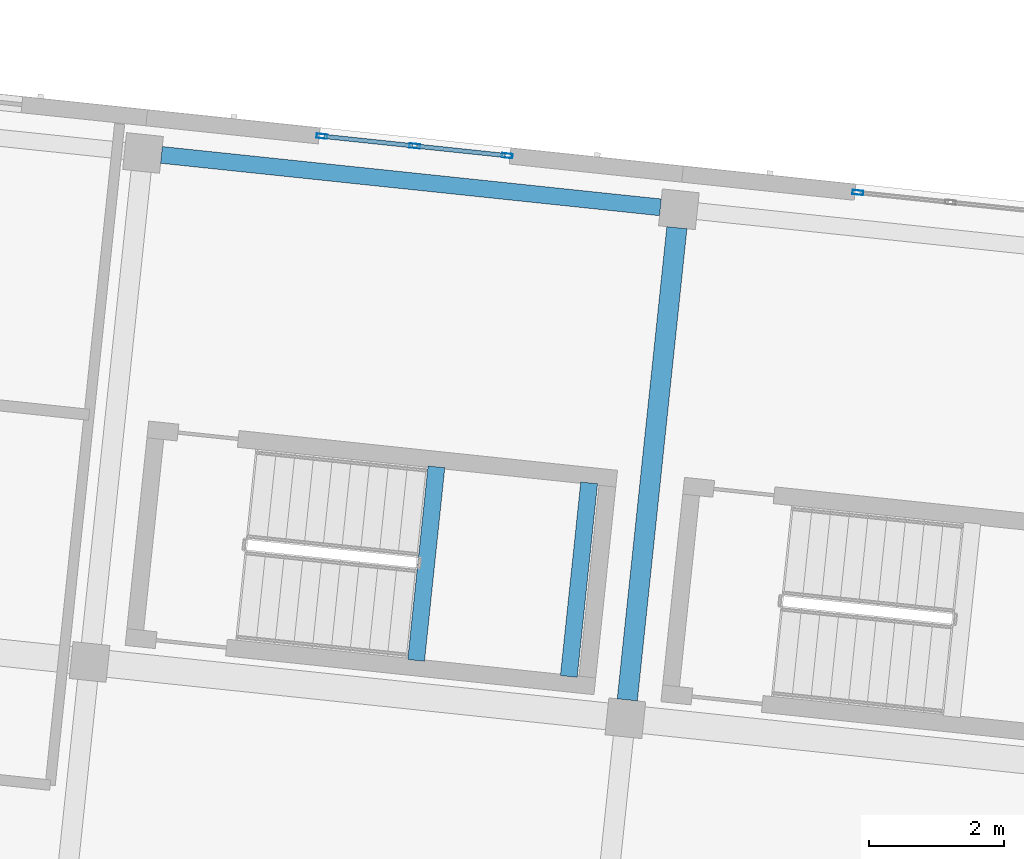
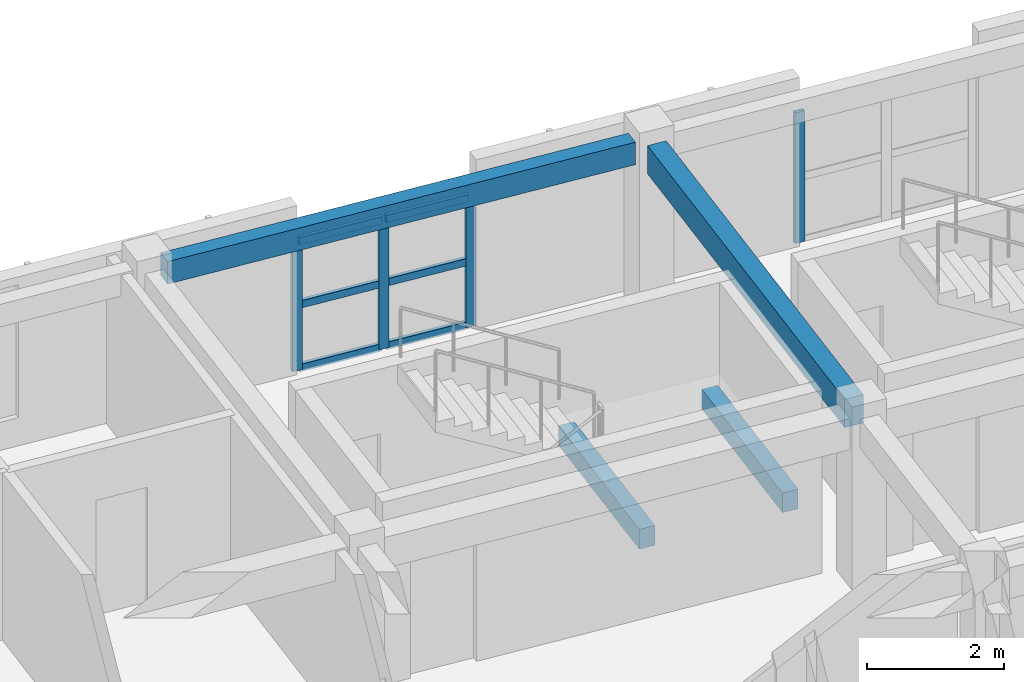
# One storey, part 13 of 66: 10 members, 4 beams, 2 elements without a shape of their own.
"""IFC4 building model written with IfcOpenShell, lengths in metres."""

from ifc_helpers import new_model, si_unit, direction, frame, origin, origin_2d, place, context, subcontext, project, spatial, rectangle, hollow_rectangle, extrude, material, material_profile, profile_set, type_object, element, aggregate, save


model = new_model("IFC4")

# Units and contexts
model_context = context("Model", 3, precision=1e-05, world=origin(), true_north=direction((0.0, 1.0)))
body_context = subcontext(model_context, "Body", "Model", "MODEL_VIEW")
ifc_project = project(units=[si_unit("LENGTHUNIT", "METRE"), si_unit("AREAUNIT", "SQUARE_METRE"), si_unit("VOLUMEUNIT", "CUBIC_METRE"), si_unit("PLANEANGLEUNIT", "RADIAN"), si_unit("MASSUNIT", "GRAM", prefix="KILO")], contexts=[model_context])

# Site, building, storey
site_placement = place(None, origin())
site = spatial("IfcSite", under=ifc_project, at=site_placement, CompositionType="ELEMENT")
building_placement = place(site_placement, origin())
building = spatial("IfcBuilding", under=site, at=building_placement, Name="Kestramere Prow Commons", CompositionType="ELEMENT")
storey_placement = place(building_placement, frame((0.0, 0.0, 14.89990234375)))
storey = spatial("IfcBuildingStorey", under=building, at=storey_placement, Name="L04", CompositionType="ELEMENT", Elevation=14.89990234375)

# Beams
ifc_material_1 = material(Name="Concrete C40/50", Category="concrete")
ifc_material_profile_1 = material_profile(ifc_material_1, rectangle(XDim=0.25, YDim=0.35009765625, at=origin_2d()), Name="PC-BM 250x350")
ifc_profile_set_1 = profile_set([ifc_material_profile_1], Name="Concrete C40/50")
beam_type_1 = type_object("IfcBeamType", Name="BM-ST-TRIM", PredefinedType="BEAM", material=ifc_profile_set_1)
for number, where, z_axis, x_axis, name in (
    (1, (139.971923828125, 104.248779296875, 1.25), (0.104495697268, 0.994525338668, 0.0), (-0.994525338668, 0.104495697268, 0.0), "ST-B1 L04 Landing Trimmer Beam 1A"),
    (2, (142.2392578125, 104.010498046875, 1.25), (0.104579248847, 0.994516556278, 0.0), (-0.994516556278, 0.104579248847, 0.0), "ST-B1 L04 Landing Trimmer Beam 1B"),
):
    element("IfcBeam", number, at=place(storey_placement, frame(where, z_axis=z_axis, x_axis=x_axis)), inside=storey, type_object=beam_type_1, Name=name, PredefinedType="BEAM", context=body_context, shape_type="SweptSolid", body=[
        extrude(rectangle(XDim=0.25, YDim=0.35009765625, at=origin_2d()), origin(), (0.0, 0.0, 1.0), 2.89013671875),
    ])
ifc_material_2 = material(Name="Precast concrete C40/50", Category="concrete")
ifc_material_profile_2 = material_profile(ifc_material_2, rectangle(XDim=0.300048828125, YDim=0.5, at=origin_2d()), Name="PC-BM 300x500")
ifc_profile_set_2 = profile_set([ifc_material_profile_2], Name="Precast concrete C40/50")
beam_type_2 = type_object("IfcBeamType", Name="BM-TIE-01 PC-BM 300x500", PredefinedType="BEAM", material=ifc_profile_set_2)
beam_1_placement = place(storey_placement, frame((143.107666015625, 103.662841796875, 2.75), z_axis=(0.104545981508, 0.994520053971, 0.0), x_axis=(-0.994520053971, 0.104545981508, 0.0)))
element("IfcBeam", 3, at=beam_1_placement, inside=storey, type_object=beam_type_2, Name="Block B L04 Transverse Beam 5-3", PredefinedType="BEAM", context=body_context, shape_type="SweptSolid", body=[
    extrude(rectangle(XDim=0.300048828125, YDim=0.5, at=origin_2d()), origin(), (0.0, 0.0, 1.0), 7.050048828125),
])

# Curtain wall, members
ifc_material_3 = material(Name="Anodised Aluminium and Low-E Glass", Category="aluminium")
curtain_wall_type = type_object("IfcCurtainWallType", Name="CW-03 Glazed Curtain Wall 2830x2320", PredefinedType="USERDEFINED", material=ifc_material_3)
curtain_wall_1_placement = place(storey_placement, origin())
curtain_wall_1 = element("IfcCurtainWall", 4, at=curtain_wall_1_placement, inside=storey, type_object=curtain_wall_type, Name="Block B L04 Stairwell Vertical Glazing 4", ObjectType="GLAZED CURTAIN WALL", PredefinedType="USERDEFINED")
ifc_material_4 = material(Name="Anodised Aluminium 6063-T6", Category="aluminium")
ifc_material_profile_3 = material_profile(ifc_material_4, hollow_rectangle(XDim=0.06494140625, YDim=0.159912109375, WallThickness=0.00390625, at=origin_2d()), Name="ALU-MUL 65x160")
ifc_profile_set_3 = profile_set([ifc_material_profile_3], Name="Anodised Aluminium 6063-T6")
member_type_1 = type_object("IfcMemberType", Name="CW-MUL-65x160", PredefinedType="MULLION", material=ifc_profile_set_3)
member_1_placement = place(storey_placement, frame((138.575439453125, 112.032470703125, 0.0), z_axis=(0.0, 0.0, 1.0), x_axis=(0.104528618845, 0.994521879016, 0.0)))
member_1 = element("IfcMember", 5, at=member_1_placement, type_object=member_type_1, Name="CW-03 mullion 1", PredefinedType="MULLION", context=body_context, shape_type="SweptSolid", body=[
    extrude(hollow_rectangle(XDim=0.06494140625, YDim=0.159912109375, WallThickness=0.00390625, at=origin_2d()), origin(), (0.0, 0.0, 1.0), 2.320068359375),
])
member_2_placement = place(storey_placement, frame((139.9501953125, 111.887939453125, 0.0), z_axis=(0.0, 0.0, 1.0), x_axis=(0.104528618845, 0.994521879016, 0.0)))
member_2 = element("IfcMember", 6, at=member_2_placement, type_object=member_type_1, Name="CW-03 mullion 2", PredefinedType="MULLION", context=body_context, shape_type="SweptSolid", body=[
    extrude(hollow_rectangle(XDim=0.06494140625, YDim=0.159912109375, WallThickness=0.00390625, at=origin_2d()), origin(), (0.0, 0.0, 1.0), 2.320068359375),
])
member_3_placement = place(storey_placement, frame((141.3251953125, 111.743408203125, 0.0), z_axis=(0.0, 0.0, 1.0), x_axis=(0.104528618845, 0.994521879016, 0.0)))
member_3 = element("IfcMember", 7, at=member_3_placement, type_object=member_type_1, Name="CW-03 mullion 3", PredefinedType="MULLION", context=body_context, shape_type="SweptSolid", body=[
    extrude(hollow_rectangle(XDim=0.06494140625, YDim=0.159912109375, WallThickness=0.00390625, at=origin_2d()), origin(), (0.0, 0.0, 1.0), 2.320068359375),
])

# Curtain wall, member
curtain_wall_2_placement = place(storey_placement, origin())
curtain_wall_2 = element("IfcCurtainWall", 8, at=curtain_wall_2_placement, inside=storey, type_object=curtain_wall_type, Name="Block B L04 Stairwell Vertical Glazing 5", ObjectType="GLAZED CURTAIN WALL", PredefinedType="USERDEFINED")
member_4_placement = place(storey_placement, frame((146.531494140625, 111.1962890625, 0.0), z_axis=(0.0, 0.0, 1.0), x_axis=(0.104528269348, 0.99452191575, 0.0)))
member_4 = element("IfcMember", 9, at=member_4_placement, type_object=member_type_1, Name="CW-03 mullion 1", PredefinedType="MULLION", context=body_context, shape_type="SweptSolid", body=[
    extrude(hollow_rectangle(XDim=0.06494140625, YDim=0.159912109375, WallThickness=0.00390625, at=origin_2d()), origin(), (0.0, 0.0, 1.0), 2.320068359375),
])
aggregate(curtain_wall_2, [member_4])

# Member
ifc_material_profile_4 = material_profile(ifc_material_4, hollow_rectangle(XDim=0.06494140625, YDim=0.1298828125, WallThickness=0.00390625, at=origin_2d()), Name="ALU-TRN 65x130")
ifc_profile_set_4 = profile_set([ifc_material_profile_4], Name="Anodised Aluminium 6063-T6")
member_type_2 = type_object("IfcMemberType", Name="CW-TRN-65x130", PredefinedType="USERDEFINED", material=ifc_profile_set_4)
member_5_placement = place(storey_placement, frame((138.607666015625, 112.029052734375, 0.03271484375), z_axis=(0.994523714271, -0.104511156111, 0.0), x_axis=(0.104511156111, 0.994523714271, 0.0)))
member_5 = element("IfcMember", 10, at=member_5_placement, type_object=member_type_2, Name="CW-03 transom 1.1", ObjectType="TRANSOM", PredefinedType="USERDEFINED", context=body_context, shape_type="SweptSolid", body=[
    extrude(hollow_rectangle(XDim=0.06494140625, YDim=0.1298828125, WallThickness=0.00390625, at=origin_2d()), origin(), (0.0, 0.0, 1.0), 1.317626953125),
])

member_6_placement = place(storey_placement, frame((138.607666015625, 112.029052734375, 1.16015625), z_axis=(0.994523714271, -0.104511156111, 0.0), x_axis=(0.104511156111, 0.994523714271, 0.0)))
member_6 = element("IfcMember", 11, at=member_6_placement, type_object=member_type_2, Name="CW-03 transom 1.2", ObjectType="TRANSOM", PredefinedType="USERDEFINED", context=body_context, shape_type="SweptSolid", body=[
    extrude(hollow_rectangle(XDim=0.06494140625, YDim=0.1298828125, WallThickness=0.00390625, at=origin_2d()), origin(), (0.0, 0.0, 1.0), 1.317626953125),
])

member_7_placement = place(storey_placement, frame((138.607666015625, 112.029052734375, 2.28759765625), z_axis=(0.994523714271, -0.104511156111, 0.0), x_axis=(0.104511156111, 0.994523714271, 0.0)))
member_7 = element("IfcMember", 12, at=member_7_placement, type_object=member_type_2, Name="CW-03 transom 1.3", ObjectType="TRANSOM", PredefinedType="USERDEFINED", context=body_context, shape_type="SweptSolid", body=[
    extrude(hollow_rectangle(XDim=0.06494140625, YDim=0.1298828125, WallThickness=0.00390625, at=origin_2d()), origin(), (0.0, 0.0, 1.0), 1.317626953125),
])

member_8_placement = place(storey_placement, frame((139.982666015625, 111.884521484375, 0.03271484375), z_axis=(0.994523714271, -0.104511156111, 0.0), x_axis=(0.104511156111, 0.994523714271, 0.0)))
member_8 = element("IfcMember", 13, at=member_8_placement, type_object=member_type_2, Name="CW-03 transom 2.1", ObjectType="TRANSOM", PredefinedType="USERDEFINED", context=body_context, shape_type="SweptSolid", body=[
    extrude(hollow_rectangle(XDim=0.06494140625, YDim=0.1298828125, WallThickness=0.00390625, at=origin_2d()), origin(), (0.0, 0.0, 1.0), 1.317626953125),
])

member_9_placement = place(storey_placement, frame((139.982666015625, 111.884521484375, 1.16015625), z_axis=(0.994523714271, -0.104511156111, 0.0), x_axis=(0.104511156111, 0.994523714271, 0.0)))
member_9 = element("IfcMember", 14, at=member_9_placement, type_object=member_type_2, Name="CW-03 transom 2.2", ObjectType="TRANSOM", PredefinedType="USERDEFINED", context=body_context, shape_type="SweptSolid", body=[
    extrude(hollow_rectangle(XDim=0.06494140625, YDim=0.1298828125, WallThickness=0.00390625, at=origin_2d()), origin(), (0.0, 0.0, 1.0), 1.317626953125),
])

member_10_placement = place(storey_placement, frame((139.982666015625, 111.884521484375, 2.28759765625), z_axis=(0.994523714271, -0.104511156111, 0.0), x_axis=(0.104511156111, 0.994523714271, 0.0)))
member_10 = element("IfcMember", 15, at=member_10_placement, type_object=member_type_2, Name="CW-03 transom 2.3", ObjectType="TRANSOM", PredefinedType="USERDEFINED", context=body_context, shape_type="SweptSolid", body=[
    extrude(hollow_rectangle(XDim=0.06494140625, YDim=0.1298828125, WallThickness=0.00390625, at=origin_2d()), origin(), (0.0, 0.0, 1.0), 1.317626953125),
])

aggregate(curtain_wall_1, [member_1, member_2, member_3, member_5, member_6, member_7, member_8, member_9, member_10])

# Beam
ifc_material_profile_5 = material_profile(ifc_material_2, rectangle(XDim=0.25, YDim=0.39990234375, at=origin_2d()), Name="PC-SP 250x400")
ifc_profile_set_5 = profile_set([ifc_material_profile_5], Name="Precast concrete C40/50")
beam_type_3 = type_object("IfcBeamType", Name="SP-EXT-01 PC-SP 250x400", PredefinedType="SPANDREL", material=ifc_profile_set_5)
beam_2_placement = place(storey_placement, frame((136.190673828125, 111.755126953125, 2.800048828125), z_axis=(0.994524291149, -0.104505666419, 0.0), x_axis=(0.104505666419, 0.994524291149, 0.0)))
element("IfcBeam", 16, at=beam_2_placement, inside=storey, type_object=beam_type_3, Name="Block B L04 Longitudinal Beam 4-4", PredefinedType="SPANDREL", context=body_context, shape_type="SweptSolid", body=[
    extrude(rectangle(XDim=0.25, YDim=0.39990234375, at=origin_2d()), origin(), (0.0, 0.0, 1.0), 7.449951171875),
])

save(model, "model.ifc")
